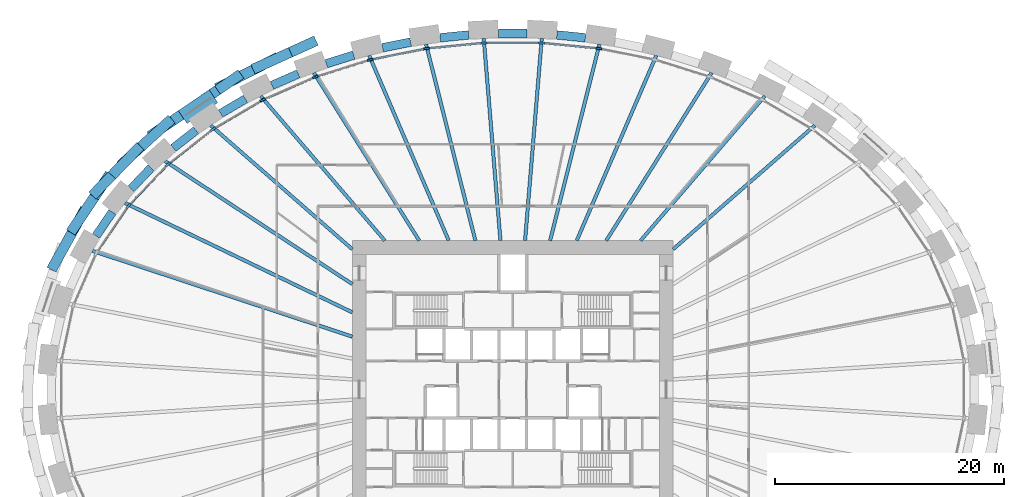
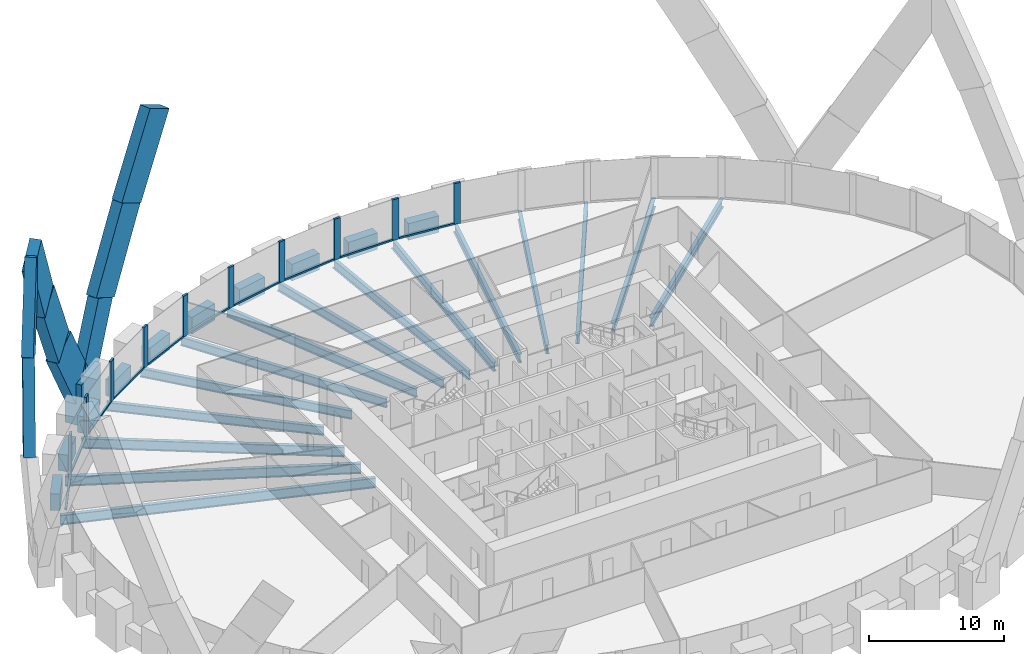
# One storey, part 3 of 12: 29 members, 25 beams, 1 element without a shape of its own.
"""IFC4 building model written with IfcOpenShell, lengths in metres."""

from ifc_helpers import new_model, si_unit, direction, frame, origin, origin_2d, place, context, subcontext, project, spatial, rectangle, i_section, extrude, source, transform, mapped, material, material_profile, profile_set, type_object, element, aggregate, save


model = new_model("IFC4")

# Units and contexts
model_context = context("Model", 3, precision=1e-05, world=origin(), true_north=direction((0.0, 1.0)))
body_context = subcontext(model_context, "Body", "Model", "MODEL_VIEW")
ifc_project = project(units=[si_unit("LENGTHUNIT", "METRE"), si_unit("AREAUNIT", "SQUARE_METRE"), si_unit("VOLUMEUNIT", "CUBIC_METRE"), si_unit("PLANEANGLEUNIT", "RADIAN"), si_unit("MASSUNIT", "GRAM", prefix="KILO")], contexts=[model_context])

# Site, building, storey
site_placement = place(None, origin())
site = spatial("IfcSite", under=ifc_project, at=site_placement, CompositionType="ELEMENT")
building_placement = place(site_placement, origin())
building = spatial("IfcBuilding", under=site, at=building_placement, Name="Embergate Tower", CompositionType="ELEMENT")
storey_placement = place(building_placement, frame((0.0, 0.0, 65.89990234375)))
storey = spatial("IfcBuildingStorey", under=building, at=storey_placement, Name="L12", CompositionType="ELEMENT", Elevation=65.89990234375)

# Beams
ifc_material_1 = material(Name="Concrete C70", Category="concrete")
ifc_material_profile_1 = material_profile(ifc_material_1, rectangle(XDim=0.75, YDim=1.5, at=origin_2d()), Name="RC 750x1500")
ifc_profile_set_1 = profile_set([ifc_material_profile_1], Name="Concrete C70")
beam_type_1 = type_object("IfcBeamType", Name="Spandrel beam RC 750x1500 C70", PredefinedType="BEAM", material=ifc_profile_set_1)
shared_shape_1 = source(origin(), body_context, "Body", "SweptSolid", [
    extrude(rectangle(XDim=0.75, YDim=1.5, at=origin_2d()), origin(), (0.0, 0.0, 1.0), 2.5302734375),
])
beam_1_placement = place(storey_placement, frame((-34.947021484375, 15.5029296875, 0.0), z_axis=(-0.562447254988, -0.82683316658, 0.0), x_axis=(0.82683316658, -0.562447254988, 0.0)))
element("IfcBeam", 1, at=beam_1_placement, inside=storey, type_object=beam_type_1, Name="SPN-L12-18", PredefinedType="BEAM", context=body_context, shape_type="MappedRepresentation", body=[
    mapped(shared_shape_1, transform((0.0, 0.0, 0.0))),
])
shared_shape_2 = source(origin(), body_context, "Body", "SweptSolid", [
    extrude(rectangle(XDim=0.75, YDim=1.5, at=origin_2d()), origin(), (0.0, 0.0, 1.0), 2.525146484375),
])
beam_2_placement = place(storey_placement, frame((-31.571044921875, 19.35302734375, 0.0), z_axis=(-0.689836216716, -0.723965464719, 0.0), x_axis=(0.723965464719, -0.689836216716, 0.0)))
element("IfcBeam", 2, at=beam_2_placement, inside=storey, type_object=beam_type_1, Name="SPN-L12-17", PredefinedType="BEAM", context=body_context, shape_type="MappedRepresentation", body=[
    mapped(shared_shape_2, transform((0.0, 0.0, 0.0))),
])
shared_shape_3 = source(origin(), body_context, "Body", "SweptSolid", [
    extrude(rectangle(XDim=0.75, YDim=1.5, at=origin_2d()), origin(), (0.0, 0.0, 1.0), 2.51708984375),
])
beam_3_placement = place(storey_placement, frame((-27.64599609375, 22.632080078125, 0.0), z_axis=(-0.788186103863, -0.615436971328, 0.0), x_axis=(0.615436971328, -0.788186103863, 0.0)))
element("IfcBeam", 3, at=beam_3_placement, inside=storey, type_object=beam_type_1, Name="SPN-L12-16", PredefinedType="BEAM", context=body_context, shape_type="MappedRepresentation", body=[
    mapped(shared_shape_3, transform((0.0, 0.0, 0.0))),
])
shared_shape_4 = source(origin(), body_context, "Body", "SweptSolid", [
    extrude(rectangle(XDim=0.75, YDim=1.5, at=origin_2d()), origin(), (0.0, 0.0, 1.0), 2.512451171875),
])
beam_4_placement = place(storey_placement, frame((-23.330078125, 25.366943359375, 0.0), z_axis=(-0.862138987282, -0.506671852986, 0.0), x_axis=(0.506671852986, -0.862138987282, 0.0)))
element("IfcBeam", 4, at=beam_4_placement, inside=storey, type_object=beam_type_1, Name="SPN-L12-15", PredefinedType="BEAM", context=body_context, shape_type="MappedRepresentation", body=[
    mapped(shared_shape_4, transform((0.0, 0.0, 0.0))),
])
shared_shape_5 = source(origin(), body_context, "Body", "SweptSolid", [
    extrude(rectangle(XDim=0.75, YDim=1.5, at=origin_2d()), origin(), (0.0, 0.0, 1.0), 2.508056640625),
])
beam_5_placement = place(storey_placement, frame((-18.716064453125, 27.553955078125, 0.0), z_axis=(-0.916219880472, -0.400675842331, 0.0), x_axis=(0.400675842331, -0.916219880472, 0.0)))
element("IfcBeam", 5, at=beam_5_placement, inside=storey, type_object=beam_type_1, Name="SPN-L12-14", PredefinedType="BEAM", context=body_context, shape_type="MappedRepresentation", body=[
    mapped(shared_shape_5, transform((0.0, 0.0, 0.0))),
])
shared_shape_6 = source(origin(), body_context, "Body", "SweptSolid", [
    extrude(rectangle(XDim=0.75, YDim=1.5, at=origin_2d()), origin(), (0.0, 0.0, 1.0), 2.505126953125),
])
beam_6_placement = place(storey_placement, frame((-13.881103515625, 29.18896484375, 0.0), z_axis=(-0.95477257779, -0.297337055715, 0.0), x_axis=(0.297337055715, -0.95477257779, 0.0)))
element("IfcBeam", 6, at=beam_6_placement, inside=storey, type_object=beam_type_1, Name="SPN-L12-13", PredefinedType="BEAM", context=body_context, shape_type="MappedRepresentation", body=[
    mapped(shared_shape_6, transform((0.0, 0.0, 0.0))),
])
shared_shape_7 = source(origin(), body_context, "Body", "SweptSolid", [
    extrude(rectangle(XDim=0.75, YDim=1.5, at=origin_2d()), origin(), (0.0, 0.0, 1.0), 2.5029296875),
])
beam_7_placement = place(storey_placement, frame((-8.907958984375, 30.323974609375, 0.0), z_axis=(-0.980494293439, -0.196547552853, 0.0), x_axis=(0.196547552853, -0.980494293439, 0.0)))
element("IfcBeam", 7, at=beam_7_placement, inside=storey, type_object=beam_type_1, Name="SPN-L12-12", PredefinedType="BEAM", context=body_context, shape_type="MappedRepresentation", body=[
    mapped(shared_shape_7, transform((0.0, 0.0, 0.0))),
])
shared_shape_8 = source(origin(), body_context, "Body", "SweptSolid", [
    extrude(rectangle(XDim=0.75, YDim=1.5, at=origin_2d()), origin(), (0.0, 0.0, 1.0), 2.5009765625),
])
for number, where, z_axis, x_axis, name in (
    (8, (6.3369140625, 30.70703125, 0.0), (-0.995195384031, 0.097908873976, 0.0), (-0.097908873976, -0.995195384031, 0.0), "SPN-L12-09"),
    (9, (-3.847900390625, 30.951904296875, 0.0), (-0.995195384031, -0.097908873976, 0.0), (0.097908873976, -0.995195384031, 0.0), "SPN-L12-11"),
):
    element("IfcBeam", number, at=place(storey_placement, frame(where, z_axis=z_axis, x_axis=x_axis)), inside=storey, type_object=beam_type_1, Name=name, PredefinedType="BEAM", context=body_context, shape_type="MappedRepresentation", body=[
        mapped(shared_shape_8, transform((0.0, 0.0, 0.0))),
    ])
shared_shape_9 = source(origin(), body_context, "Body", "SweptSolid", [
    extrude(rectangle(XDim=0.75, YDim=1.5, at=origin_2d()), origin(), (0.0, 0.0, 1.0), 2.501953125),
])
beam_8_placement = place(storey_placement, frame((1.2509765625, 31.0791015625, 0.0), z_axis=(-1.0, 0.0, 0.0), x_axis=(0.0, -1.0, 0.0)))
element("IfcBeam", 10, at=beam_8_placement, inside=storey, type_object=beam_type_1, Name="SPN-L12-10", PredefinedType="BEAM", context=body_context, shape_type="MappedRepresentation", body=[
    mapped(shared_shape_9, transform((0.0, 0.0, 0.0))),
])
ifc_material_2 = material(Name="Steel Q355B", Category="steel")
ifc_material_profile_2 = material_profile(ifc_material_2, i_section(OverallWidth=0.300048828125, OverallDepth=0.89990234375, WebThickness=0.01611328125, FlangeThickness=0.028076171875, FilletRadius=0.028076171875, at=origin_2d()), Name="HN 900x300x16x28")
ifc_profile_set_2 = profile_set([ifc_material_profile_2], Name="Steel Q355 grade B")
beam_type_2 = type_object("IfcBeamType", Name="Radial girder HN 900x300x16x28", PredefinedType="BEAM", material=ifc_profile_set_2)
shared_shape_10 = source(origin(), body_context, "Body", "SweptSolid", [
    extrude(i_section(OverallWidth=0.300048828125, OverallDepth=0.89990234375, WebThickness=0.01611328125, FlangeThickness=0.028076171875, FilletRadius=0.028076171875, at=origin_2d()), origin(), (0.0, 0.0, 1.0), 23.889404296875),
])
beam_9_placement = place(storey_placement, frame((-36.68701171875, 12.10009765625, -0.64990234375), z_axis=(0.949672981662, -0.313243081171, 0.0), x_axis=(0.313243081171, 0.949672981662, 0.0)))
element("IfcBeam", 11, at=beam_9_placement, inside=storey, type_object=beam_type_2, Name="GIR-L12-19", PredefinedType="BEAM", context=body_context, shape_type="MappedRepresentation", body=[
    mapped(shared_shape_10, transform((0.0, 0.0, 0.0))),
])
shared_shape_11 = source(origin(), body_context, "Body", "SweptSolid", [
    extrude(i_section(OverallWidth=0.300048828125, OverallDepth=0.89990234375, WebThickness=0.01611328125, FlangeThickness=0.028076171875, FilletRadius=0.028076171875, at=origin_2d()), origin(), (0.0, 0.0, 1.0), 22.020751953125),
])
beam_10_placement = place(storey_placement, frame((-33.843994140625, 16.281005859375, -0.64990234375), z_axis=(0.90115457104, -0.433497911291, 0.0), x_axis=(0.433497911291, 0.90115457104, 0.0)))
element("IfcBeam", 12, at=beam_10_placement, inside=storey, type_object=beam_type_2, Name="GIR-L12-18", PredefinedType="BEAM", context=body_context, shape_type="MappedRepresentation", body=[
    mapped(shared_shape_11, transform((0.0, 0.0, 0.0))),
])
shared_shape_12 = source(origin(), body_context, "Body", "SweptSolid", [
    extrude(i_section(OverallWidth=0.300048828125, OverallDepth=0.89990234375, WebThickness=0.01611328125, FlangeThickness=0.028076171875, FilletRadius=0.028076171875, at=origin_2d()), origin(), (0.0, 0.0, 1.0), 19.56591796875),
])
beam_11_placement = place(storey_placement, frame((-30.35205078125, 19.94189453125, -0.64990234375), z_axis=(0.835746219167, -0.549115886812, 0.0), x_axis=(0.549115886812, 0.835746219167, 0.0)))
element("IfcBeam", 13, at=beam_11_placement, inside=storey, type_object=beam_type_2, Name="GIR-L12-17", PredefinedType="BEAM", context=body_context, shape_type="MappedRepresentation", body=[
    mapped(shared_shape_12, transform((0.0, 0.0, 0.0))),
])
ifc_material_profile_3 = material_profile(ifc_material_2, i_section(OverallWidth=0.300048828125, OverallDepth=0.800048828125, WebThickness=0.013916015625, FlangeThickness=0.02587890625, FilletRadius=0.028076171875, at=origin_2d()), Name="HN 800x300x14x26")
ifc_profile_set_3 = profile_set([ifc_material_profile_3], Name="Steel Q355 grade B")
beam_type_3 = type_object("IfcBeamType", Name="Radial girder HN 800x300x14x26", PredefinedType="BEAM", material=ifc_profile_set_3)
shared_shape_13 = source(origin(), body_context, "Body", "SweptSolid", [
    extrude(i_section(OverallWidth=0.300048828125, OverallDepth=0.800048828125, WebThickness=0.013916015625, FlangeThickness=0.02587890625, FilletRadius=0.028076171875, at=origin_2d()), origin(), (0.0, 0.0, 1.0), 16.424560546875),
])
for number, where, z_axis, x_axis, name in (
    (14, (26.364013671875, 23.055908203125, -0.599853515625), (-0.752772791173, -0.658280430265, 0.0), (0.658280430265, -0.752772791173, 0.0), "GIR-L12-05"),
    (15, (-26.364013671875, 23.055908203125, -0.599853515625), (0.752772791173, -0.658280430265, 0.0), (0.658280430265, 0.752772791173, 0.0), "GIR-L12-16"),
):
    element("IfcBeam", number, at=place(storey_placement, frame(where, z_axis=z_axis, x_axis=x_axis)), inside=storey, type_object=beam_type_3, Name=name, PredefinedType="BEAM", context=body_context, shape_type="MappedRepresentation", body=[
        mapped(shared_shape_13, transform((0.0, 0.0, 0.0))),
    ])
shared_shape_14 = source(origin(), body_context, "Body", "SweptSolid", [
    extrude(i_section(OverallWidth=0.300048828125, OverallDepth=0.800048828125, WebThickness=0.013916015625, FlangeThickness=0.02587890625, FilletRadius=0.028076171875, at=origin_2d()), origin(), (0.0, 0.0, 1.0), 16.6357421875),
])
for number, where, z_axis, x_axis, name in (
    (16, (22.0009765625, 25.62109375, -0.599853515625), (-0.651477578484, -0.758667888297, 0.0), (0.758667888297, -0.651477578484, 0.0), "GIR-L12-06"),
    (17, (-22.0009765625, 25.62109375, -0.599853515625), (0.651477578484, -0.758667888297, 0.0), (0.758667888297, 0.651477578484, 0.0), "GIR-L12-15"),
):
    element("IfcBeam", number, at=place(storey_placement, frame(where, z_axis=z_axis, x_axis=x_axis)), inside=storey, type_object=beam_type_3, Name=name, PredefinedType="BEAM", context=body_context, shape_type="MappedRepresentation", body=[
        mapped(shared_shape_14, transform((0.0, 0.0, 0.0))),
    ])
shared_shape_15 = source(origin(), body_context, "Body", "SweptSolid", [
    extrude(i_section(OverallWidth=0.300048828125, OverallDepth=0.800048828125, WebThickness=0.013916015625, FlangeThickness=0.02587890625, FilletRadius=0.028076171875, at=origin_2d()), origin(), (0.0, 0.0, 1.0), 17.29833984375),
])
for number, where, z_axis, x_axis, name in (
    (18, (17.364013671875, 27.64892578125, -0.599853515625), (-0.53184228431, -0.84684342391, 0.0), (0.84684342391, -0.53184228431, 0.0), "GIR-L12-07"),
    (19, (-17.364013671875, 27.64892578125, -0.599853515625), (0.53184228431, -0.84684342391, 0.0), (0.84684342391, 0.53184228431, 0.0), "GIR-L12-14"),
):
    element("IfcBeam", number, at=place(storey_placement, frame(where, z_axis=z_axis, x_axis=x_axis)), inside=storey, type_object=beam_type_3, Name=name, PredefinedType="BEAM", context=body_context, shape_type="MappedRepresentation", body=[
        mapped(shared_shape_15, transform((0.0, 0.0, 0.0))),
    ])
shared_shape_16 = source(origin(), body_context, "Body", "SweptSolid", [
    extrude(i_section(OverallWidth=0.300048828125, OverallDepth=0.800048828125, WebThickness=0.013916015625, FlangeThickness=0.02587890625, FilletRadius=0.028076171875, at=origin_2d()), origin(), (0.0, 0.0, 1.0), 17.5830078125),
])
for number, where, z_axis, x_axis, name in (
    (20, (12.531005859375, 29.154052734375, -0.599853515625), (-0.394877633305, -0.91873372351, 0.0), (0.91873372351, -0.394877633305, 0.0), "GIR-L12-08"),
    (21, (-12.531005859375, 29.154052734375, -0.599853515625), (0.394877633305, -0.91873372351, 0.0), (0.91873372351, 0.394877633305, 0.0), "GIR-L12-13"),
):
    element("IfcBeam", number, at=place(storey_placement, frame(where, z_axis=z_axis, x_axis=x_axis)), inside=storey, type_object=beam_type_3, Name=name, PredefinedType="BEAM", context=body_context, shape_type="MappedRepresentation", body=[
        mapped(shared_shape_16, transform((0.0, 0.0, 0.0))),
    ])
shared_shape_17 = source(origin(), body_context, "Body", "SweptSolid", [
    extrude(i_section(OverallWidth=0.300048828125, OverallDepth=0.800048828125, WebThickness=0.013916015625, FlangeThickness=0.02587890625, FilletRadius=0.028076171875, at=origin_2d()), origin(), (0.0, 0.0, 1.0), 17.68115234375),
])
for number, where, z_axis, x_axis, name in (
    (22, (7.568115234375, 30.14892578125, -0.599853515625), (-0.243490697854, -0.969903232317, 0.0), (0.969903232317, -0.243490697854, 0.0), "GIR-L12-09"),
    (23, (-7.568115234375, 30.14892578125, -0.599853515625), (0.243490697854, -0.969903232317, 0.0), (0.969903232317, 0.243490697854, 0.0), "GIR-L12-12"),
):
    element("IfcBeam", number, at=place(storey_placement, frame(where, z_axis=z_axis, x_axis=x_axis)), inside=storey, type_object=beam_type_3, Name=name, PredefinedType="BEAM", context=body_context, shape_type="MappedRepresentation", body=[
        mapped(shared_shape_17, transform((0.0, 0.0, 0.0))),
    ])
shared_shape_18 = source(origin(), body_context, "Body", "SweptSolid", [
    extrude(i_section(OverallWidth=0.300048828125, OverallDepth=0.800048828125, WebThickness=0.013916015625, FlangeThickness=0.02587890625, FilletRadius=0.028076171875, at=origin_2d()), origin(), (0.0, 0.0, 1.0), 17.7041015625),
])
for number, where, z_axis, x_axis, name in (
    (24, (2.531005859375, 30.64404296875, -0.599853515625), (-0.082299081422, -0.99660767667, 0.0), (0.99660767667, -0.082299081422, 0.0), "GIR-L12-10"),
    (25, (-2.531005859375, 30.64404296875, -0.599853515625), (0.082299081422, -0.99660767667, 0.0), (0.99660767667, 0.082299081422, 0.0), "GIR-L12-11"),
):
    element("IfcBeam", number, at=place(storey_placement, frame(where, z_axis=z_axis, x_axis=x_axis)), inside=storey, type_object=beam_type_3, Name=name, PredefinedType="BEAM", context=body_context, shape_type="MappedRepresentation", body=[
        mapped(shared_shape_18, transform((0.0, 0.0, 0.0))),
    ])

# Members
ifc_material_profile_4 = material_profile(ifc_material_1, rectangle(XDim=1.35009765625, YDim=3.25, at=origin_2d()), Name="RC 1350x3250")
ifc_profile_set_4 = profile_set([ifc_material_profile_4], Name="Concrete C70")
member_type_1 = type_object("IfcMemberType", Name="Lattice node block RC 1350x3250", PredefinedType="POST", material=ifc_profile_set_4)
shared_shape_19 = source(origin(), body_context, "Body", "SweptSolid", [
    extrude(rectangle(XDim=1.35009765625, YDim=3.25, at=origin_2d()), origin(), (0.0, 0.0, 1.0), 3.75),
])
member_1_placement = place(storey_placement, frame((-27.469970703125, 24.69189453125, -1.875), z_axis=(0.0, 0.0, 1.0), x_axis=(-0.560407734638, 0.828216862275, 0.0)))
element("IfcMember", 26, at=member_1_placement, inside=storey, type_object=member_type_1, Name="NOD-L12-16", PredefinedType="POST", context=body_context, shape_type="MappedRepresentation", body=[
    mapped(shared_shape_19, transform((0.0, 0.0, 0.0))),
])
ifc_material_profile_5 = material_profile(ifc_material_1, rectangle(XDim=0.89990234375, YDim=2.800048828125, at=origin_2d()), Name="RC 900x2800")
ifc_profile_set_5 = profile_set([ifc_material_profile_5], Name="Concrete C70")
member_type_2 = type_object("IfcMemberType", Name="Lattice diagonal terracotta-faced RC 900x2800", PredefinedType="BRACE", material=ifc_profile_set_5)
shared_shape_20 = source(origin(), body_context, "Body", "SweptSolid", [
    extrude(rectangle(XDim=0.89990234375, YDim=2.800048828125, at=origin_2d()), origin(), (0.0, 0.0, 1.0), 7.363525390625),
])
member_2_placement = place(storey_placement, frame((-27.596923828125, 24.8779296875, 0.0), z_axis=(0.387292095867, 0.266041586956, 0.88273818683), x_axis=(-0.566208339294, 0.824262164917, 0.0)))
element("IfcMember", 27, at=member_2_placement, inside=storey, type_object=member_type_2, Name="BRC-L12-16-14-S00", PredefinedType="BRACE", context=body_context, shape_type="MappedRepresentation", body=[
    mapped(shared_shape_20, transform((0.0, 0.0, 0.0))),
])
shared_shape_21 = source(origin(), body_context, "Body", "SweptSolid", [
    extrude(rectangle(XDim=0.89990234375, YDim=2.800048828125, at=origin_2d()), origin(), (0.0, 0.0, 1.0), 7.41552734375),
])
member_3_placement = place(storey_placement, frame((-24.7451171875, 26.8369140625, 6.5), z_axis=(0.428728271867, 0.218742945652, 0.876552104914), x_axis=(-0.45447698768, 0.890758478864, 0.0)))
element("IfcMember", 28, at=member_3_placement, inside=storey, type_object=member_type_2, Name="BRC-L12-16-14-S01", PredefinedType="BRACE", context=body_context, shape_type="MappedRepresentation", body=[
    mapped(shared_shape_21, transform((0.0, 0.0, 0.0))),
])
shared_shape_22 = source(origin(), body_context, "Body", "SweptSolid", [
    extrude(rectangle(XDim=0.89990234375, YDim=2.800048828125, at=origin_2d()), origin(), (0.0, 0.0, 1.0), 7.43408203125),
])
member_4_placement = place(storey_placement, frame((-21.56591796875, 28.458984375, 13.0), z_axis=(0.442008680963, 0.200298012125, 0.874362071622), x_axis=(-0.412752309469, 0.910843307615, 0.0)))
element("IfcMember", 29, at=member_4_placement, inside=storey, type_object=member_type_2, Name="BRC-L12-16-14-S02", PredefinedType="BRACE", context=body_context, shape_type="MappedRepresentation", body=[
    mapped(shared_shape_22, transform((0.0, 0.0, 0.0))),
])
shared_shape_23 = source(origin(), body_context, "Body", "SweptSolid", [
    extrude(rectangle(XDim=0.89990234375, YDim=2.800048828125, at=origin_2d()), origin(), (0.0, 0.0, 1.0), 7.490966796875),
])
member_5_placement = place(storey_placement, frame((-27.596923828125, 24.8779296875, 0.0), z_axis=(-0.411826109346, -0.278331352787, 0.867715917635), x_axis=(0.559954740752, -0.828523197206, 0.0)))
element("IfcMember", 30, at=member_5_placement, inside=storey, type_object=member_type_2, Name="BRC-L12-16-18-S00", PredefinedType="BRACE", context=body_context, shape_type="MappedRepresentation", body=[
    mapped(shared_shape_23, transform((0.0, 0.0, 0.0))),
])
shared_shape_24 = source(origin(), body_context, "Body", "SweptSolid", [
    extrude(rectangle(XDim=0.89990234375, YDim=2.800048828125, at=origin_2d()), origin(), (0.0, 0.0, 1.0), 7.433349609375),
])
member_6_placement = place(storey_placement, frame((-30.681884765625, 22.79296875, 6.5), z_axis=(-0.359603607683, -0.325676260278, 0.874425650832), x_axis=(0.671276625734, -0.741206915607, 0.0)))
element("IfcMember", 31, at=member_6_placement, inside=storey, type_object=member_type_2, Name="BRC-L12-16-18-S01", PredefinedType="BRACE", context=body_context, shape_type="MappedRepresentation", body=[
    mapped(shared_shape_24, transform((0.0, 0.0, 0.0))),
])
shared_shape_25 = source(origin(), body_context, "Body", "SweptSolid", [
    extrude(rectangle(XDim=0.89990234375, YDim=2.800048828125, at=origin_2d()), origin(), (0.0, 0.0, 1.0), 7.416259765625),
])
member_7_placement = place(storey_placement, frame((-33.35498046875, 20.3720703125, 13.0), z_axis=(-0.33522495123, -0.345594769519, 0.876463625802), x_axis=(0.717793730129, -0.696255815765, 0.0)))
element("IfcMember", 32, at=member_7_placement, inside=storey, type_object=member_type_2, Name="BRC-L12-16-18-S02", PredefinedType="BRACE", context=body_context, shape_type="MappedRepresentation", body=[
    mapped(shared_shape_25, transform((0.0, 0.0, 0.0))),
])
shared_shape_26 = source(origin(), body_context, "Body", "SweptSolid", [
    extrude(rectangle(XDim=0.89990234375, YDim=2.800048828125, at=origin_2d()), origin(), (0.0, 0.0, 1.0), 7.4580078125),
])
member_8_placement = place(storey_placement, frame((-39.673095703125, 11.528076171875, 6.5), z_axis=(0.237329757091, 0.429059465681, 0.871540338314), x_axis=(-0.875053295182, 0.484026580459, 0.0)))
element("IfcMember", 33, at=member_8_placement, inside=storey, type_object=member_type_2, Name="BRC-L12-20-18-S01", PredefinedType="BRACE", context=body_context, shape_type="MappedRepresentation", body=[
    mapped(shared_shape_26, transform((0.0, 0.0, 0.0))),
])
shared_shape_27 = source(origin(), body_context, "Body", "SweptSolid", [
    extrude(rectangle(XDim=0.89990234375, YDim=2.800048828125, at=origin_2d()), origin(), (0.0, 0.0, 1.0), 7.48291015625),
])
member_9_placement = place(storey_placement, frame((-37.903076171875, 14.72802734375, 13.0), z_axis=(0.275560724412, 0.41174240375, 0.868639441953), x_axis=(-0.831056111357, 0.556188582925, 0.0)))
element("IfcMember", 34, at=member_9_placement, inside=storey, type_object=member_type_2, Name="BRC-L12-20-18-S02", PredefinedType="BRACE", context=body_context, shape_type="MappedRepresentation", body=[
    mapped(shared_shape_27, transform((0.0, 0.0, 0.0))),
])

# Curtain wall, members
ifc_material_3 = material(Name="Aluminium and glass", Category="aluminium")
curtain_wall_type = type_object("IfcCurtainWallType", Name="Recessed office glazing", PredefinedType="NOTDEFINED", material=ifc_material_3)
curtain_wall_placement = place(storey_placement, origin())
curtain_wall = element("IfcCurtainWall", 35, at=curtain_wall_placement, inside=storey, type_object=curtain_wall_type, Name="Recessed office glazing ring", ObjectType="RECESSED OFFICE GLAZING", PredefinedType="USERDEFINED")
ifc_material_4 = material(Name="Aluminium, thermally broken", Category="aluminium")
ifc_material_profile_6 = material_profile(ifc_material_4, rectangle(XDim=0.179931640625, YDim=0.52001953125, at=origin_2d()), Name="AL 520x180")
ifc_profile_set_6 = profile_set([ifc_material_profile_6], Name="Aluminium, thermally broken")
member_type_3 = type_object("IfcMemberType", Name="Office mullion", PredefinedType="MULLION", material=ifc_profile_set_6)
shared_shape_28 = source(origin(), body_context, "Body", "SweptSolid", [
    extrude(rectangle(XDim=0.179931640625, YDim=0.52001953125, at=origin_2d()), origin(), (0.0, 0.0, 1.0), 3.7001953125),
])
member_10_placement = place(storey_placement, frame((7.51123046875, 29.76318359375, 0.0), z_axis=(0.0, 0.0, 1.0), x_axis=(-0.147415835341, -0.989074603602, 0.0)))
member_10 = element("IfcMember", 36, at=member_10_placement, type_object=member_type_3, Name="CW mullion 10", PredefinedType="MULLION", context=body_context, shape_type="MappedRepresentation", body=[
    mapped(shared_shape_28, transform((0.0, 0.0, 0.0))),
])
member_11_placement = place(storey_placement, frame((2.511962890625, 30.254638671875, 0.0), z_axis=(0.0, 0.0, 1.0), x_axis=(-0.048971796621, -0.998800161762, 0.0)))
member_11 = element("IfcMember", 37, at=member_11_placement, type_object=member_type_3, Name="CW mullion 11", PredefinedType="MULLION", context=body_context, shape_type="MappedRepresentation", body=[
    mapped(shared_shape_28, transform((0.0, 0.0, 0.0))),
])
member_12_placement = place(storey_placement, frame((-2.511962890625, 30.254638671875, 0.0), z_axis=(0.0, 0.0, 1.0), x_axis=(0.048971796621, -0.998800161762, 0.0)))
member_12 = element("IfcMember", 38, at=member_12_placement, type_object=member_type_3, Name="CW mullion 12", PredefinedType="MULLION", context=body_context, shape_type="MappedRepresentation", body=[
    mapped(shared_shape_28, transform((0.0, 0.0, 0.0))),
])
member_13_placement = place(storey_placement, frame((-7.51123046875, 29.76318359375, 0.0), z_axis=(0.0, 0.0, 1.0), x_axis=(0.147415835341, -0.989074603602, 0.0)))
member_13 = element("IfcMember", 39, at=member_13_placement, type_object=member_type_3, Name="CW mullion 13", PredefinedType="MULLION", context=body_context, shape_type="MappedRepresentation", body=[
    mapped(shared_shape_28, transform((0.0, 0.0, 0.0))),
])
member_14_placement = place(storey_placement, frame((-12.435302734375, 28.775634765625, 0.0), z_axis=(0.0, 0.0, 1.0), x_axis=(0.247318645812, -0.968934201808, 0.0)))
member_14 = element("IfcMember", 40, at=member_14_placement, type_object=member_type_3, Name="CW mullion 14", PredefinedType="MULLION", context=body_context, shape_type="MappedRepresentation", body=[
    mapped(shared_shape_28, transform((0.0, 0.0, 0.0))),
])
member_15_placement = place(storey_placement, frame((-17.22802734375, 27.282958984375, 0.0), z_axis=(0.0, 0.0, 1.0), x_axis=(0.349510859141, -0.936932313106, 0.0)))
member_15 = element("IfcMember", 41, at=member_15_placement, type_object=member_type_3, Name="CW mullion 15", PredefinedType="MULLION", context=body_context, shape_type="MappedRepresentation", body=[
    mapped(shared_shape_28, transform((0.0, 0.0, 0.0))),
])
member_16_placement = place(storey_placement, frame((-21.824462890625, 25.273193359375, 0.0), z_axis=(0.0, 0.0, 1.0), x_axis=(0.454520708319, -0.890736170653, 0.0)))
member_16 = element("IfcMember", 42, at=member_16_placement, type_object=member_type_3, Name="CW mullion 16", PredefinedType="MULLION", context=body_context, shape_type="MappedRepresentation", body=[
    mapped(shared_shape_28, transform((0.0, 0.0, 0.0))),
])
member_17_placement = place(storey_placement, frame((-26.14501953125, 22.73291015625, 0.0), z_axis=(0.0, 0.0, 1.0), x_axis=(0.562229165438, -0.826981478348, 0.0)))
member_17 = element("IfcMember", 43, at=member_17_placement, type_object=member_type_3, Name="CW mullion 17", PredefinedType="MULLION", context=body_context, shape_type="MappedRepresentation", body=[
    mapped(shared_shape_28, transform((0.0, 0.0, 0.0))),
])
member_18_placement = place(storey_placement, frame((-30.09130859375, 19.65283203125, 0.0), z_axis=(0.0, 0.0, 1.0), x_axis=(0.671239471147, -0.741240563093, 0.0)))
member_18 = element("IfcMember", 44, at=member_18_placement, type_object=member_type_3, Name="CW mullion 18", PredefinedType="MULLION", context=body_context, shape_type="MappedRepresentation", body=[
    mapped(shared_shape_28, transform((0.0, 0.0, 0.0))),
])
member_19_placement = place(storey_placement, frame((-33.541015625, 16.035400390625, 0.0), z_axis=(0.0, 0.0, 1.0), x_axis=(0.777883532271, -0.628408474022, 0.0)))
member_19 = element("IfcMember", 45, at=member_19_placement, type_object=member_type_3, Name="CW mullion 19", PredefinedType="MULLION", context=body_context, shape_type="MappedRepresentation", body=[
    mapped(shared_shape_28, transform((0.0, 0.0, 0.0))),
])
ifc_material_profile_7 = material_profile(ifc_material_4, rectangle(XDim=0.179931640625, YDim=0.14990234375, at=origin_2d()), Name="AL 150x180")
ifc_profile_set_7 = profile_set([ifc_material_profile_7], Name="Aluminium, thermally broken")
member_type_4 = type_object("IfcMemberType", Name="Office sill transom", PredefinedType="USERDEFINED", material=ifc_profile_set_7)
shared_shape_29 = source(origin(), body_context, "Body", "SweptSolid", [
    extrude(rectangle(XDim=0.179931640625, YDim=0.14990234375, at=origin_2d()), origin(), (0.0, 0.0, 1.0), 4.4697265625),
])
member_20_placement = place(storey_placement, frame((-33.687255859375, 15.820556640625, 0.0751953125), z_axis=(-0.562327949545, -0.826914310652, 0.0), x_axis=(0.826914310652, -0.562327949545, 0.0)))
member_20 = element("IfcMember", 46, at=member_20_placement, type_object=member_type_4, Name="CW transom 19.1", ObjectType="TRANSOM", PredefinedType="USERDEFINED", context=body_context, shape_type="MappedRepresentation", body=[
    mapped(shared_shape_29, transform((0.0, 0.0, 0.0))),
])
shared_shape_30 = source(origin(), body_context, "Body", "SweptSolid", [
    extrude(rectangle(XDim=0.179931640625, YDim=0.14990234375, at=origin_2d()), origin(), (0.0, 0.0, 1.0), 4.478515625),
])
member_21_placement = place(storey_placement, frame((-30.270751953125, 19.464599609375, 0.0751953125), z_axis=(-0.690145055563, -0.723671059447, 0.0), x_axis=(0.723671059447, -0.690145055563, 0.0)))
member_21 = element("IfcMember", 47, at=member_21_placement, type_object=member_type_4, Name="CW transom 18.1", ObjectType="TRANSOM", PredefinedType="USERDEFINED", context=body_context, shape_type="MappedRepresentation", body=[
    mapped(shared_shape_30, transform((0.0, 0.0, 0.0))),
])
shared_shape_31 = source(origin(), body_context, "Body", "SweptSolid", [
    extrude(rectangle(XDim=0.179931640625, YDim=0.14990234375, at=origin_2d()), origin(), (0.0, 0.0, 1.0), 4.486083984375),
])
member_22_placement = place(storey_placement, frame((-26.35009765625, 22.572998046875, 0.0751953125), z_axis=(-0.78829904423, -0.615292301972, 0.0), x_axis=(0.615292301972, -0.78829904423, 0.0)))
member_22 = element("IfcMember", 48, at=member_22_placement, type_object=member_type_4, Name="CW transom 17.1", ObjectType="TRANSOM", PredefinedType="USERDEFINED", context=body_context, shape_type="MappedRepresentation", body=[
    mapped(shared_shape_31, transform((0.0, 0.0, 0.0))),
])
shared_shape_32 = source(origin(), body_context, "Body", "SweptSolid", [
    extrude(rectangle(XDim=0.179931640625, YDim=0.14990234375, at=origin_2d()), origin(), (0.0, 0.0, 1.0), 4.491943359375),
])
member_23_placement = place(storey_placement, frame((-22.048583984375, 25.141357421875, 0.0751953125), z_axis=(-0.8620529522, -0.506818219486, 0.0), x_axis=(0.506818219486, -0.8620529522, 0.0)))
member_23 = element("IfcMember", 49, at=member_23_placement, type_object=member_type_4, Name="CW transom 16.1", ObjectType="TRANSOM", PredefinedType="USERDEFINED", context=body_context, shape_type="MappedRepresentation", body=[
    mapped(shared_shape_32, transform((0.0, 0.0, 0.0))),
])
shared_shape_33 = source(origin(), body_context, "Body", "SweptSolid", [
    extrude(rectangle(XDim=0.179931640625, YDim=0.14990234375, at=origin_2d()), origin(), (0.0, 0.0, 1.0), 4.49658203125),
])
member_24_placement = place(storey_placement, frame((-17.46630859375, 27.178955078125, 0.0751953125), z_axis=(-0.9162134002, -0.400690660354, 0.0), x_axis=(0.400690660354, -0.9162134002, 0.0)))
member_24 = element("IfcMember", 50, at=member_24_placement, type_object=member_type_4, Name="CW transom 15.1", ObjectType="TRANSOM", PredefinedType="USERDEFINED", context=body_context, shape_type="MappedRepresentation", body=[
    mapped(shared_shape_33, transform((0.0, 0.0, 0.0))),
])
shared_shape_34 = source(origin(), body_context, "Body", "SweptSolid", [
    extrude(rectangle(XDim=0.179931640625, YDim=0.14990234375, at=origin_2d()), origin(), (0.0, 0.0, 1.0), 4.5),
])
member_25_placement = place(storey_placement, frame((-12.68359375, 28.698486328125, 0.0751953125), z_axis=(-0.954763366225, -0.297366633156, 0.0), x_axis=(0.297366633156, -0.954763366225, 0.0)))
member_25 = element("IfcMember", 51, at=member_25_placement, type_object=member_type_4, Name="CW transom 14.1", ObjectType="TRANSOM", PredefinedType="USERDEFINED", context=body_context, shape_type="MappedRepresentation", body=[
    mapped(shared_shape_34, transform((0.0, 0.0, 0.0))),
])
shared_shape_35 = source(origin(), body_context, "Body", "SweptSolid", [
    extrude(rectangle(XDim=0.179931640625, YDim=0.14990234375, at=origin_2d()), origin(), (0.0, 0.0, 1.0), 4.502197265625),
])
member_26_placement = place(storey_placement, frame((-7.76611328125, 29.712158203125, 0.0751953125), z_axis=(-0.980478345518, -0.196627093681, 0.0), x_axis=(0.196627093681, -0.980478345518, 0.0)))
member_26 = element("IfcMember", 52, at=member_26_placement, type_object=member_type_4, Name="CW transom 13.1", ObjectType="TRANSOM", PredefinedType="USERDEFINED", context=body_context, shape_type="MappedRepresentation", body=[
    mapped(shared_shape_35, transform((0.0, 0.0, 0.0))),
])
shared_shape_36 = source(origin(), body_context, "Body", "SweptSolid", [
    extrude(rectangle(XDim=0.179931640625, YDim=0.14990234375, at=origin_2d()), origin(), (0.0, 0.0, 1.0), 4.503173828125),
])
member_27_placement = place(storey_placement, frame((7.25244140625, 29.788818359375, 0.0751953125), z_axis=(-0.995205892048, 0.097802006279, 0.0), x_axis=(-0.097802006279, -0.995205892048, 0.0)))
member_27 = element("IfcMember", 53, at=member_27_placement, type_object=member_type_4, Name="CW transom 10.1", ObjectType="TRANSOM", PredefinedType="USERDEFINED", context=body_context, shape_type="MappedRepresentation", body=[
    mapped(shared_shape_36, transform((0.0, 0.0, 0.0))),
])
member_28_placement = place(storey_placement, frame((-2.770751953125, 30.229248046875, 0.0751953125), z_axis=(-0.995205892048, -0.097802006279, 0.0), x_axis=(0.097802006279, -0.995205892048, 0.0)))
member_28 = element("IfcMember", 54, at=member_28_placement, type_object=member_type_4, Name="CW transom 12.1", ObjectType="TRANSOM", PredefinedType="USERDEFINED", context=body_context, shape_type="MappedRepresentation", body=[
    mapped(shared_shape_36, transform((0.0, 0.0, 0.0))),
])
shared_shape_37 = source(origin(), body_context, "Body", "SweptSolid", [
    extrude(rectangle(XDim=0.179931640625, YDim=0.14990234375, at=origin_2d()), origin(), (0.0, 0.0, 1.0), 4.50390625),
])
member_29_placement = place(storey_placement, frame((2.251953125, 30.254638671875, 0.0751953125), z_axis=(-1.0, 0.0, 0.0), x_axis=(0.0, -1.0, 0.0)))
member_29 = element("IfcMember", 55, at=member_29_placement, type_object=member_type_4, Name="CW transom 11.1", ObjectType="TRANSOM", PredefinedType="USERDEFINED", context=body_context, shape_type="MappedRepresentation", body=[
    mapped(shared_shape_37, transform((0.0, 0.0, 0.0))),
])
aggregate(curtain_wall, [member_10, member_11, member_12, member_13, member_14, member_15, member_16, member_17, member_18, member_19, member_27, member_29, member_28, member_26, member_25, member_24, member_23, member_22, member_21, member_20])

save(model, "model.ifc")
